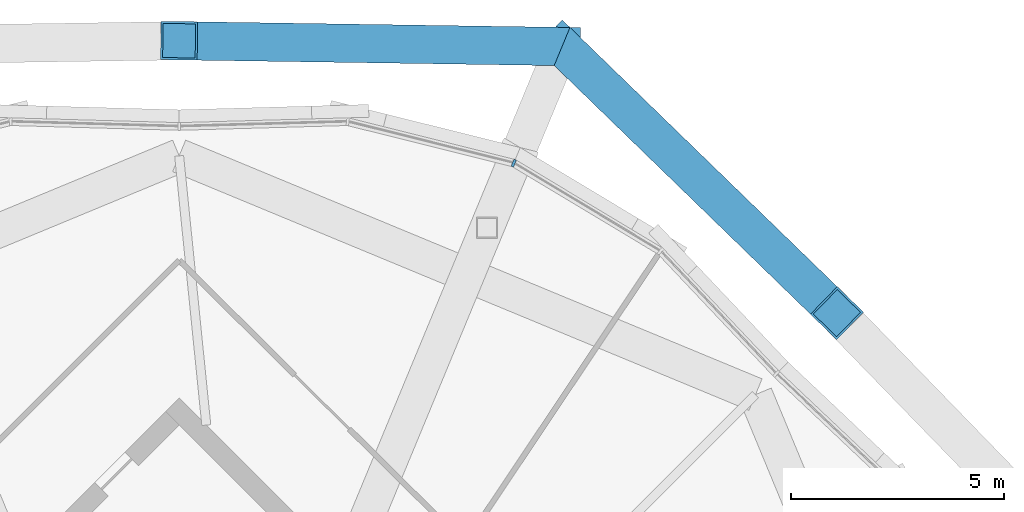
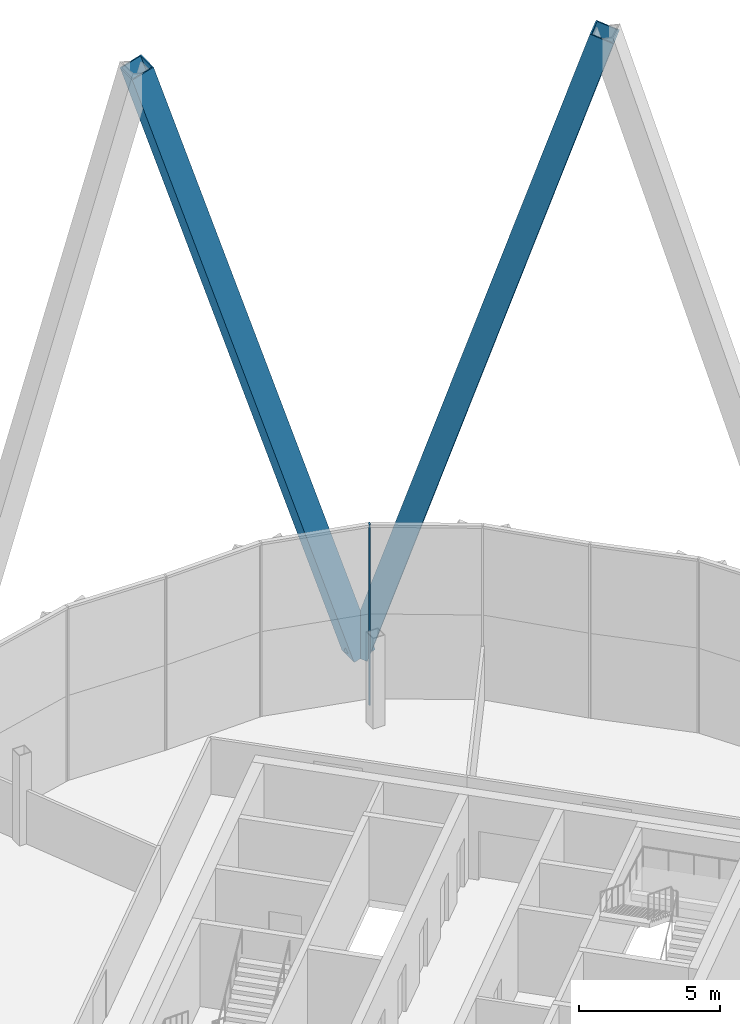
# One storey, part 37 of 53: 3 members, 1 element without a shape of its own.
"""IFC4 building model written with IfcOpenShell, lengths in metres."""

from ifc_helpers import new_model, si_unit, direction, frame, origin, origin_2d, place, context, subcontext, project, spatial, rectangle, hollow_rectangle, extrude, material, material_profile, profile_set, type_object, element, aggregate, save


model = new_model("IFC4")

# Units and contexts
model_context = context("Model", 3, precision=1e-05, world=origin(), true_north=direction((0.0, 1.0)))
body_context = subcontext(model_context, "Body", "Model", "MODEL_VIEW")
ifc_project = project(units=[si_unit("LENGTHUNIT", "METRE"), si_unit("AREAUNIT", "SQUARE_METRE"), si_unit("VOLUMEUNIT", "CUBIC_METRE"), si_unit("PLANEANGLEUNIT", "RADIAN"), si_unit("MASSUNIT", "GRAM", prefix="KILO")], contexts=[model_context])

# Site, building, storey
site_placement = place(None, origin())
site = spatial("IfcSite", under=ifc_project, at=site_placement, CompositionType="ELEMENT")
building_placement = place(site_placement, origin())
building = spatial("IfcBuilding", under=site, at=building_placement, Name="Ogive Gate Towers", CompositionType="ELEMENT")
storey_placement = place(building_placement, frame((0.0, 0.0, 240.60009765625)))
storey = spatial("IfcBuildingStorey", under=building, at=storey_placement, Name="L57", CompositionType="ELEMENT", Elevation=240.60009765625)

# Members
ifc_material_1 = material(Name="Steel SM460", Category="steel")
ifc_material_profile_1 = material_profile(ifc_material_1, hollow_rectangle(XDim=0.89990234375, YDim=0.89990234375, WallThickness=0.050048828125, at=origin_2d()), Name="BX 900x900x50")
ifc_profile_set_1 = profile_set([ifc_material_profile_1], Name="Steel SM460")
member_type_1 = type_object("IfcMemberType", Name="Diagrid diagonal BX 900x900x50", PredefinedType="BRACE", material=ifc_profile_set_1)
for number, where, z_axis, x_axis, name in (
    (1, (44.977783203125, 21.67431640625, 0.0), (0.217751746913, -0.211259451685, 0.952866003586), (0.696326291775, 0.717725362087, 0.0), "T2/L57/SDG003"),
    (2, (44.977783203125, 21.67431640625, 0.0), (-0.303356073086, 0.00458667981, 0.952866231582), (-0.015118061019, -0.999885715585, 0.0), "T2/L57/SDG004"),
):
    element("IfcMember", number, at=place(storey_placement, frame(where, z_axis=z_axis, x_axis=x_axis)), inside=storey, type_object=member_type_1, Name=name, PredefinedType="BRACE", context=body_context, shape_type="SweptSolid", body=[
        extrude(hollow_rectangle(XDim=0.89990234375, YDim=0.89990234375, WallThickness=0.050048828125, at=origin_2d()), origin(), (0.0, 0.0, 1.0), 29.594970703125),
    ])

# Curtain wall, member
ifc_material_2 = material(Name="Pale metal aluminium", Category="aluminium")
curtain_wall_type = type_object("IfcCurtainWallType", Name="Tower unitised wall, high zone", PredefinedType="NOTDEFINED", material=ifc_material_2)
curtain_wall_placement = place(storey_placement, origin())
curtain_wall = element("IfcCurtainWall", 3, at=curtain_wall_placement, inside=storey, type_object=curtain_wall_type, Name="CW2 T2 ECW02", PredefinedType="NOTDEFINED")
ifc_material_profile_2 = material_profile(ifc_material_2, rectangle(XDim=0.179931640625, YDim=0.06005859375, at=origin_2d()), Name="60 x 180 aluminium box")
ifc_profile_set_2 = profile_set([ifc_material_profile_2], Name="Pale metal aluminium")
member_type_2 = type_object("IfcMemberType", Name="Tower unitised wall, high zone mullion 60 x 180", PredefinedType="MULLION", material=ifc_profile_set_2)
member_placement = place(storey_placement, frame((43.845458984375, 18.940673828125, -0.300048828125), z_axis=(0.0, 0.0, 1.0), x_axis=(0.382683432365, 0.923879532511, 0.0)))
member = element("IfcMember", 4, at=member_placement, type_object=member_type_2, Name="CW2 mullion", PredefinedType="MULLION", context=body_context, shape_type="SweptSolid", body=[
    extrude(rectangle(XDim=0.179931640625, YDim=0.06005859375, at=origin_2d()), origin(), (0.0, 0.0, 1.0), 7.800048828125),
])
aggregate(curtain_wall, [member])

save(model, "model.ifc")
